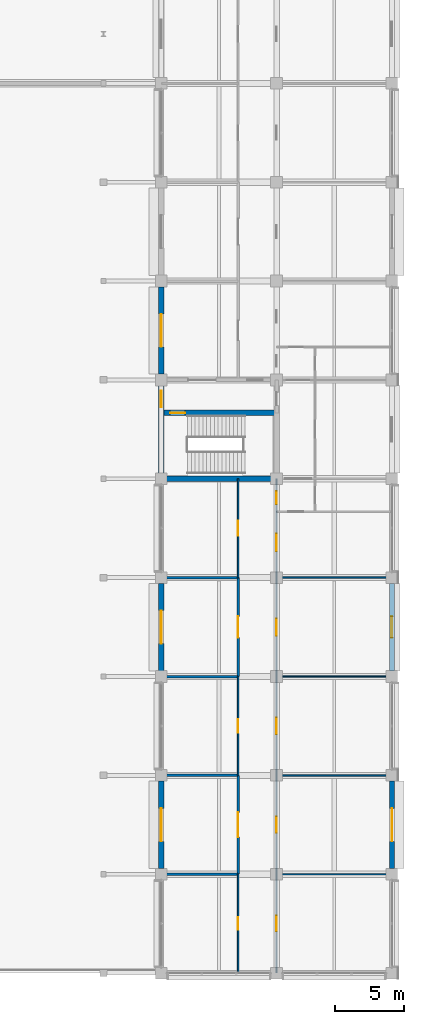
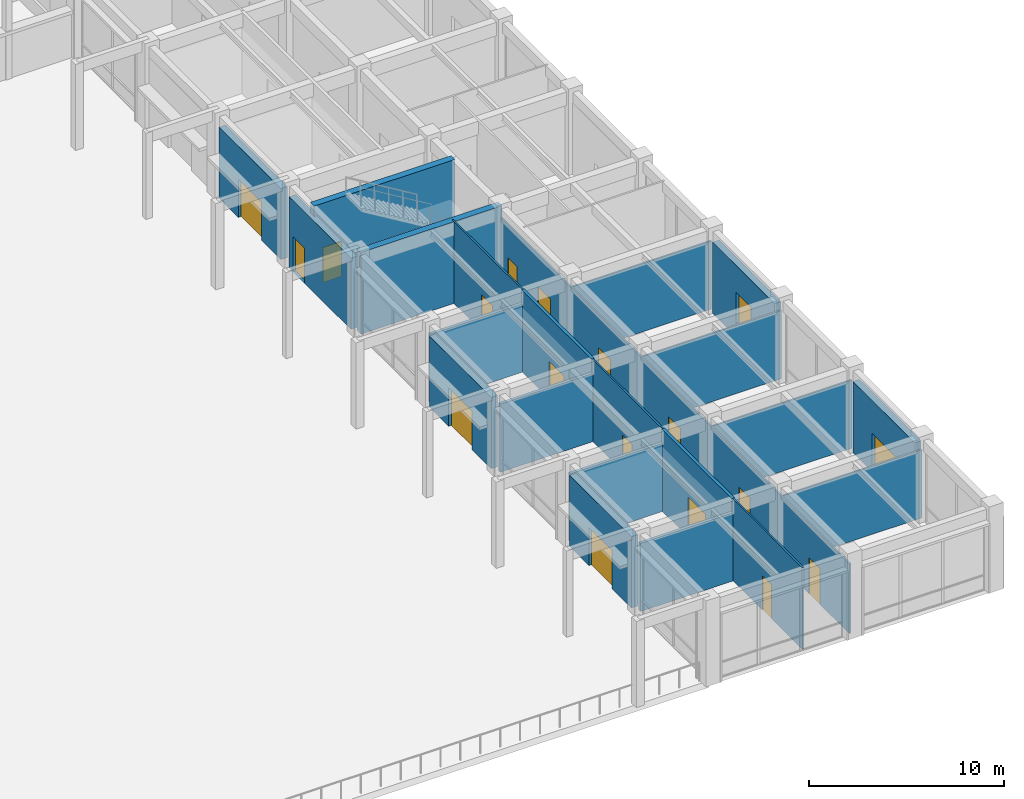
# One storey, part 54 of 73: 22 walls, 17 doors, 1 window, 18 openings.
"""IFC4 building model written with IfcOpenShell, lengths in metres."""

from ifc_helpers import new_model, si_unit, direction, frame, frame_2d, origin, place, context, subcontext, project, spatial, rectangle, extrude, material, layer, layer_set, type_object, element, fill, save


model = new_model("IFC4")

# Units and contexts
model_context = context("Model", 3, precision=1e-05, world=origin(), true_north=direction((0.0, 1.0)))
body_context = subcontext(model_context, "Body", "Model", "MODEL_VIEW")
ifc_project = project(units=[si_unit("LENGTHUNIT", "METRE"), si_unit("AREAUNIT", "SQUARE_METRE"), si_unit("VOLUMEUNIT", "CUBIC_METRE"), si_unit("PLANEANGLEUNIT", "RADIAN"), si_unit("MASSUNIT", "GRAM", prefix="KILO")], contexts=[model_context])

# Site, building, storey
site_placement = place(None, origin())
site = spatial("IfcSite", under=ifc_project, at=site_placement, CompositionType="ELEMENT")
building_placement = place(site_placement, origin())
building = spatial("IfcBuilding", under=site, at=building_placement, Name="Chengyuan Square Courthouse", CompositionType="ELEMENT")
storey_placement = place(building_placement, origin())
storey = spatial("IfcBuildingStorey", under=building, at=storey_placement, Name="L01", CompositionType="ELEMENT", Elevation=0.0)

# Wall, opening, door
ifc_material_1 = material(Name="Concrete C40", Category="concrete")
ifc_layer_1 = layer(ifc_material_1, 0.3798828125)
ifc_layer_set_1 = layer_set([ifc_layer_1], Name="Concrete C40")
wall_type_1 = type_object("IfcWallType", Name="WL-EW1", PredefinedType="STANDARD", material=ifc_layer_set_1)
wall_1_placement = place(storey_placement, frame((151.199951171875, 7.6201171875, 0.0), z_axis=(0.0, 0.0, 1.0), x_axis=(0.0, 1.0, 0.0)))
wall_1 = element("IfcWall", 1, at=wall_1_placement, inside=storey, type_object=wall_type_1, Name="Exterior Wall WL-L01-E190", PredefinedType="STANDARD", context=body_context, shape_type="SweptSolid", body=[
    extrude(rectangle(XDim=6.35986328125, YDim=0.3798828125, at=frame_2d((3.179931640625, 0.0))), origin(), (0.0, 0.0, 1.0), 4.469970703125),
])
opening_1_placement = place(wall_1_placement, frame((1.97998046875, 0.0, 0.0)))
opening_1 = element("IfcOpeningElement", 2, at=opening_1_placement, cuts=wall_1, Name="Opening E-05", PredefinedType="OPENING", context=body_context, shape_type="SweptSolid", body=[
    extrude(rectangle(XDim=2.39990234375, YDim=2.39990234375, at=frame_2d((1.199951171875, 1.199951171875))), frame((0.0, 0.201904296875, 0.0), z_axis=(0.0, -1.0, 0.0), x_axis=(1.0, 0.0, 0.0)), (0.0, 0.0, 1.0), 0.40380859375),
])
ifc_material_2 = material(Name="Glazed Bronze Civic Entrance Door")
door_type_1 = type_object("IfcDoorType", Name="DT-01", OperationType="DOUBLE_DOOR_SINGLE_SWING", PredefinedType="DOOR", material=ifc_material_2)
door_1_placement = place(opening_1_placement, origin())
door_1 = element("IfcDoor", 3, at=door_1_placement, inside=storey, type_object=door_type_1, Name="Main Pedestrian Entrance Exit Door E-05", OperationType="DOUBLE_DOOR_SINGLE_SWING", OverallHeight=2.39990234375, OverallWidth=2.39990234375, PredefinedType="DOOR", context=body_context, shape_type="SweptSolid", body=[
    extrude(rectangle(XDim=2.39990234375, YDim=2.39990234375, at=frame_2d((1.199951171875, 1.199951171875))), frame((0.0, 0.02490234375, 0.0), z_axis=(0.0, -1.0, 0.0), x_axis=(1.0, 0.0, 0.0)), (0.0, 0.0, 1.0), 0.050048828125),
])
fill(opening_1, door_1)

wall_2_placement = place(storey_placement, frame((151.199951171875, 22.02001953125, 0.0), z_axis=(0.0, 0.0, 1.0), x_axis=(0.0, 1.0, 0.0)))
wall_2 = element("IfcWall", 4, at=wall_2_placement, inside=storey, type_object=wall_type_1, Name="Exterior Wall WL-L01-E191", PredefinedType="STANDARD", context=body_context, shape_type="SweptSolid", body=[
    extrude(rectangle(XDim=6.35986328125, YDim=0.3798828125, at=frame_2d((3.179931640625, 0.0))), origin(), (0.0, 0.0, 1.0), 4.469970703125),
])
opening_2_placement = place(wall_2_placement, frame((1.97998046875, 0.0, 0.0)))
opening_2 = element("IfcOpeningElement", 5, at=opening_2_placement, cuts=wall_2, Name="Opening E-06", PredefinedType="OPENING", context=body_context, shape_type="SweptSolid", body=[
    extrude(rectangle(XDim=2.39990234375, YDim=2.39990234375, at=frame_2d((1.199951171875, 1.199951171875))), frame((0.0, 0.201904296875, 0.0), z_axis=(0.0, -1.0, 0.0), x_axis=(1.0, 0.0, 0.0)), (0.0, 0.0, 1.0), 0.40380859375),
])
door_2_placement = place(opening_2_placement, origin())
door_2 = element("IfcDoor", 6, at=door_2_placement, inside=storey, type_object=door_type_1, Name="Main Pedestrian Entrance Exit Door E-06", OperationType="DOUBLE_DOOR_SINGLE_SWING", OverallHeight=2.39990234375, OverallWidth=2.39990234375, PredefinedType="DOOR", context=body_context, shape_type="SweptSolid", body=[
    extrude(rectangle(XDim=2.39990234375, YDim=2.39990234375, at=frame_2d((1.199951171875, 1.199951171875))), frame((0.0, 0.02490234375, 0.0), z_axis=(0.0, -1.0, 0.0), x_axis=(1.0, 0.0, 0.0)), (0.0, 0.0, 1.0), 0.050048828125),
])
fill(opening_2, door_2)

wall_3_placement = place(storey_placement, frame((151.199951171875, 36.419921875, 0.0), z_axis=(0.0, 0.0, 1.0), x_axis=(0.0, 1.0, 0.0)))
wall_3 = element("IfcWall", 7, at=wall_3_placement, inside=storey, type_object=wall_type_1, Name="Exterior Wall WL-L01-E192", PredefinedType="STANDARD", context=body_context, shape_type="SweptSolid", body=[
    extrude(rectangle(XDim=6.360107421875, YDim=0.3798828125, at=frame_2d((3.18017578125, 0.0))), origin(), (0.0, 0.0, 1.0), 4.469970703125),
])
opening_3_placement = place(wall_3_placement, frame((4.780029296875, 0.0, 0.0)))
opening_3 = element("IfcOpeningElement", 8, at=opening_3_placement, cuts=wall_3, Name="Opening E-22", PredefinedType="OPENING", context=body_context, shape_type="SweptSolid", body=[
    extrude(rectangle(XDim=1.199951171875, YDim=2.199951171875, at=frame_2d((0.60009765625, 1.10009765625))), frame((0.0, 0.201904296875, 0.0), z_axis=(0.0, -1.0, 0.0), x_axis=(1.0, 0.0, 0.0)), (0.0, 0.0, 1.0), 0.40380859375),
])
ifc_material_3 = material(Name="Steel Q235B Fire Exit Door", Category="steel")
door_type_2 = type_object("IfcDoorType", Name="DT-03", OperationType="NOTDEFINED", PredefinedType="DOOR", material=ifc_material_3)
door_3_placement = place(opening_3_placement, origin())
door_3 = element("IfcDoor", 9, at=door_3_placement, inside=storey, type_object=door_type_2, Name="Protected Stair Exit Discharge Door E-22", OperationType="SINGLE_SWING_RIGHT", OverallHeight=2.199951171875, OverallWidth=1.199951171875, PredefinedType="DOOR", context=body_context, shape_type="SweptSolid", body=[
    extrude(rectangle(XDim=1.199951171875, YDim=2.199951171875, at=frame_2d((0.60009765625, 1.10009765625))), frame((0.0, 0.02490234375, 0.0), z_axis=(0.0, -1.0, 0.0), x_axis=(1.0, 0.0, 0.0)), (0.0, 0.0, 1.0), 0.050048828125),
])
fill(opening_3, door_3)

wall_4_placement = place(storey_placement, frame((151.199951171875, 43.6201171875, 0.0), z_axis=(0.0, 0.0, 1.0), x_axis=(0.0, 1.0, 0.0)))
wall_4 = element("IfcWall", 10, at=wall_4_placement, inside=storey, type_object=wall_type_1, Name="Exterior Wall WL-L01-E193", PredefinedType="STANDARD", context=body_context, shape_type="SweptSolid", body=[
    extrude(rectangle(XDim=6.35986328125, YDim=0.3798828125, at=frame_2d((3.179931640625, 0.0))), origin(), (0.0, 0.0, 1.0), 4.469970703125),
])
opening_4_placement = place(wall_4_placement, frame((1.97998046875, 0.0, 0.0)))
opening_4 = element("IfcOpeningElement", 11, at=opening_4_placement, cuts=wall_4, Name="Opening E-07", PredefinedType="OPENING", context=body_context, shape_type="SweptSolid", body=[
    extrude(rectangle(XDim=2.39990234375, YDim=2.39990234375, at=frame_2d((1.199951171875, 1.199951171875))), frame((0.0, 0.201904296875, 0.0), z_axis=(0.0, -1.0, 0.0), x_axis=(1.0, 0.0, 0.0)), (0.0, 0.0, 1.0), 0.40380859375),
])
door_4_placement = place(opening_4_placement, origin())
door_4 = element("IfcDoor", 12, at=door_4_placement, inside=storey, type_object=door_type_1, Name="Main Pedestrian Entrance Exit Door E-07", OperationType="DOUBLE_DOOR_SINGLE_SWING", OverallHeight=2.39990234375, OverallWidth=2.39990234375, PredefinedType="DOOR", context=body_context, shape_type="SweptSolid", body=[
    extrude(rectangle(XDim=2.39990234375, YDim=2.39990234375, at=frame_2d((1.199951171875, 1.199951171875))), frame((0.0, 0.02490234375, 0.0), z_axis=(0.0, -1.0, 0.0), x_axis=(1.0, 0.0, 0.0)), (0.0, 0.0, 1.0), 0.050048828125),
])
fill(opening_4, door_4)

wall_5_placement = place(storey_placement, frame((168.0, 7.6201171875, 0.0), z_axis=(0.0, 0.0, 1.0), x_axis=(0.0, 1.0, 0.0)))
wall_5 = element("IfcWall", 13, at=wall_5_placement, inside=storey, type_object=wall_type_1, Name="Exterior Wall WL-L01-E196", PredefinedType="STANDARD", context=body_context, shape_type="SweptSolid", body=[
    extrude(rectangle(XDim=6.35986328125, YDim=0.3798828125, at=frame_2d((3.179931640625, 0.0))), origin(), (0.0, 0.0, 1.0), 4.469970703125),
])
opening_5_placement = place(wall_5_placement, frame((1.97998046875, 0.0, 0.0)))
opening_5 = element("IfcOpeningElement", 14, at=opening_5_placement, cuts=wall_5, Name="Opening E-19", PredefinedType="OPENING", context=body_context, shape_type="SweptSolid", body=[
    extrude(rectangle(XDim=2.39990234375, YDim=2.39990234375, at=frame_2d((1.199951171875, 1.199951171875))), frame((0.0, 0.201904296875, 0.0), z_axis=(0.0, -1.0, 0.0), x_axis=(1.0, 0.0, 0.0)), (0.0, 0.0, 1.0), 0.40380859375),
])
door_5_placement = place(opening_5_placement, frame((2.39990234375, 0.0, 0.0), z_axis=(0.0, 0.0, 1.0), x_axis=(-1.0, 0.0, 0.0)))
door_5 = element("IfcDoor", 15, at=door_5_placement, inside=storey, type_object=door_type_1, Name="Main Pedestrian Entrance Exit Door E-19", OperationType="DOUBLE_DOOR_SINGLE_SWING", OverallHeight=2.39990234375, OverallWidth=2.39990234375, PredefinedType="DOOR", context=body_context, shape_type="SweptSolid", body=[
    extrude(rectangle(XDim=2.39990234375, YDim=2.39990234375, at=frame_2d((1.199951171875, 1.199951171875))), frame((0.0, 0.02490234375, 0.0), z_axis=(0.0, -1.0, 0.0), x_axis=(1.0, 0.0, 0.0)), (0.0, 0.0, 1.0), 0.050048828125),
])
fill(opening_5, door_5)

# Wall, opening, window
wall_6_placement = place(storey_placement, frame((168.0, 22.02001953125, 0.0), z_axis=(0.0, 0.0, 1.0), x_axis=(0.0, 1.0, 0.0)))
wall_6 = element("IfcWall", 16, at=wall_6_placement, inside=storey, type_object=wall_type_1, Name="Exterior Wall WL-L01-E197", PredefinedType="STANDARD", context=body_context, shape_type="SweptSolid", body=[
    extrude(rectangle(XDim=6.35986328125, YDim=0.3798828125, at=frame_2d((3.179931640625, 0.0))), origin(), (0.0, 0.0, 1.0), 4.469970703125),
])
opening_6_placement = place(wall_6_placement, frame((2.405029296875, 0.0, 0.85009765625)))
opening_6 = element("IfcOpeningElement", 17, at=opening_6_placement, cuts=wall_6, Name="Opening WN-012", PredefinedType="OPENING", context=body_context, shape_type="SweptSolid", body=[
    extrude(rectangle(XDim=1.550048828125, YDim=1.919921875, at=frame_2d((0.77490234375, 0.9599609375))), frame((0.0, 0.201904296875, 0.0), z_axis=(0.0, -1.0, 0.0), x_axis=(1.0, 0.0, 0.0)), (0.0, 0.0, 1.0), 0.40380859375),
])
ifc_material_4 = material(Name="Thermally Broken Aluminium Triple Low-E Window", Category="aluminium")
window_type = type_object("IfcWindowType", Name="WT-29", PartitioningType="SINGLE_PANEL", PredefinedType="WINDOW", material=ifc_material_4)
window_placement = place(opening_6_placement, origin())
window = element("IfcWindow", 18, at=window_placement, inside=storey, type_object=window_type, Name="Facade Window WN-012", OverallHeight=1.919921875, OverallWidth=1.550048828125, PartitioningType="SINGLE_PANEL", PredefinedType="WINDOW", context=body_context, shape_type="SweptSolid", body=[
    extrude(rectangle(XDim=1.550048828125, YDim=1.919921875, at=frame_2d((0.77490234375, 0.9599609375))), frame((0.0, 0.030029296875, 0.0), z_axis=(0.0, -1.0, 0.0), x_axis=(1.0, 0.0, 0.0)), (0.0, 0.0, 1.0), 0.06005859375),
])
fill(opening_6, window)

# Walls
ifc_material_5 = material(Name="Double-Stud Acoustic Gypsum Courtroom Partition")
ifc_layer_2 = layer(ifc_material_5, 0.179931640625)
ifc_layer_set_2 = layer_set([ifc_layer_2], Name="Double-Stud Acoustic Gypsum Courtroom Partition")
wall_type_2 = type_object("IfcWallType", Name="WL-PT1", PredefinedType="STANDARD", material=ifc_layer_set_2)
for number, where, z_axis, x_axis, name in (
    (19, (151.239990234375, 7.199951171875, 0.0), (0.0, 0.0, 1.0), (1.0, 0.0, 0.0), "Interior Wall WL-L01-I624"),
    (20, (151.239990234375, 14.39990234375, 0.0), (0.0, 0.0, 1.0), (1.0, 0.0, 0.0), "Interior Wall WL-L01-I628"),
    (21, (151.239990234375, 21.60009765625, 0.0), (0.0, 0.0, 1.0), (1.0, 0.0, 0.0), "Interior Wall WL-L01-I632"),
    (22, (151.239990234375, 28.800048828125, 0.0), (0.0, 0.0, 1.0), (1.0, 0.0, 0.0), "Interior Wall WL-L01-I636"),
):
    element("IfcWall", number, at=place(storey_placement, frame(where, z_axis=z_axis, x_axis=x_axis)), inside=storey, type_object=wall_type_2, Name=name, PredefinedType="STANDARD", context=body_context, shape_type="SweptSolid", body=[
        extrude(rectangle(XDim=5.56005859375, YDim=0.179931640625, at=frame_2d((2.780029296875, 0.0))), origin(), (0.0, 0.0, 1.0), 4.27001953125),
    ])

# Wall, opening, door
wall_7_placement = place(storey_placement, frame((156.800048828125, 7.199951171875, 0.0), z_axis=(0.0, 0.0, 1.0), x_axis=(0.0, 1.0, 0.0)))
wall_7 = element("IfcWall", 23, at=wall_7_placement, inside=storey, type_object=wall_type_2, Name="Interior Wall WL-L01-I994", PredefinedType="STANDARD", context=body_context, shape_type="SweptSolid", body=[
    extrude(rectangle(XDim=7.199951171875, YDim=0.179931640625, at=frame_2d((3.60009765625, 0.0))), origin(), (0.0, 0.0, 1.0), 5.1201171875),
])
opening_7_placement = place(wall_7_placement, frame((2.699951171875, 0.0, 0.0)))
opening_7 = element("IfcOpeningElement", 24, at=opening_7_placement, cuts=wall_7, Name="Opening DR-971", PredefinedType="OPENING", context=body_context, shape_type="SweptSolid", body=[
    extrude(rectangle(XDim=1.800048828125, YDim=2.5, at=frame_2d((0.89990234375, 1.25))), frame((0.0, 0.10205078125, 0.0), z_axis=(0.0, -1.0, 0.0), x_axis=(1.0, 0.0, 0.0)), (0.0, 0.0, 1.0), 0.203857421875),
])
ifc_material_6 = material(Name="Acoustic Larch Veneer Double Door")
door_type_3 = type_object("IfcDoorType", Name="DT-21", OperationType="DOUBLE_DOOR_SINGLE_SWING", PredefinedType="DOOR", material=ifc_material_6)
door_6_placement = place(opening_7_placement, frame((1.800048828125, 0.0, 0.0), z_axis=(0.0, 0.0, 1.0), x_axis=(-1.0, 0.0, 0.0)))
door_6 = element("IfcDoor", 25, at=door_6_placement, inside=storey, type_object=door_type_3, Name="Interior Door DR-971", OperationType="DOUBLE_DOOR_SINGLE_SWING", OverallHeight=2.5, OverallWidth=1.800048828125, PredefinedType="DOOR", context=body_context, shape_type="SweptSolid", body=[
    extrude(rectangle(XDim=1.800048828125, YDim=2.5, at=frame_2d((0.89990234375, 1.25))), frame((0.0, 0.02490234375, 0.0), z_axis=(0.0, -1.0, 0.0), x_axis=(1.0, 0.0, 0.0)), (0.0, 0.0, 1.0), 0.050048828125),
])
fill(opening_7, door_6)

wall_8_placement = place(storey_placement, frame((156.800048828125, 21.60009765625, 0.0), z_axis=(0.0, 0.0, 1.0), x_axis=(0.0, 1.0, 0.0)))
wall_8 = element("IfcWall", 26, at=wall_8_placement, inside=storey, type_object=wall_type_2, Name="Interior Wall WL-L01-I996", PredefinedType="STANDARD", context=body_context, shape_type="SweptSolid", body=[
    extrude(rectangle(XDim=7.199951171875, YDim=0.179931640625, at=frame_2d((3.60009765625, 0.0))), origin(), (0.0, 0.0, 1.0), 5.1201171875),
])
opening_8_placement = place(wall_8_placement, frame((2.824951171875, 0.0, 0.0)))
opening_8 = element("IfcOpeningElement", 27, at=opening_8_placement, cuts=wall_8, Name="Opening DR-973", PredefinedType="OPENING", context=body_context, shape_type="SweptSolid", body=[
    extrude(rectangle(XDim=1.550048828125, YDim=2.35009765625, at=frame_2d((0.77490234375, 1.175048828125))), frame((0.0, 0.10205078125, 0.0), z_axis=(0.0, -1.0, 0.0), x_axis=(1.0, 0.0, 0.0)), (0.0, 0.0, 1.0), 0.203857421875),
])
door_type_4 = type_object("IfcDoorType", Name="DT-23", OperationType="DOUBLE_DOOR_SINGLE_SWING", PredefinedType="DOOR", material=ifc_material_6)
door_7_placement = place(opening_8_placement, frame((1.550048828125, 0.0, 0.0), z_axis=(0.0, 0.0, 1.0), x_axis=(-1.0, 0.0, 0.0)))
door_7 = element("IfcDoor", 28, at=door_7_placement, inside=storey, type_object=door_type_4, Name="Interior Door DR-973", OperationType="DOUBLE_DOOR_SINGLE_SWING", OverallHeight=2.35009765625, OverallWidth=1.550048828125, PredefinedType="DOOR", context=body_context, shape_type="SweptSolid", body=[
    extrude(rectangle(XDim=1.550048828125, YDim=2.35009765625, at=frame_2d((0.77490234375, 1.175048828125))), frame((0.0, 0.02490234375, 0.0), z_axis=(0.0, -1.0, 0.0), x_axis=(1.0, 0.0, 0.0)), (0.0, 0.0, 1.0), 0.050048828125),
])
fill(opening_8, door_7)

# Walls
ifc_material_7 = material(Name="Gypsum Plasterboard Acoustic Stud Partition")
ifc_layer_3 = layer(ifc_material_7, 0.10009765625)
ifc_layer_set_3 = layer_set([ifc_layer_3], Name="Gypsum Plasterboard Acoustic Stud Partition")
wall_type_3 = type_object("IfcWallType", Name="WL-PT6", PredefinedType="STANDARD", material=ifc_layer_set_3)
for number, where, z_axis, x_axis, name in (
    (29, (159.60009765625, 7.199951171875, 0.0), (0.0, 0.0, 1.0), (1.0, 0.0, 0.0), "Interior Wall WL-L01-I625"),
    (30, (159.60009765625, 14.39990234375, 0.0), (0.0, 0.0, 1.0), (1.0, 0.0, 0.0), "Interior Wall WL-L01-I629"),
    (31, (159.60009765625, 21.60009765625, 0.0), (0.0, 0.0, 1.0), (1.0, 0.0, 0.0), "Interior Wall WL-L01-I633"),
    (32, (159.60009765625, 28.800048828125, 0.0), (0.0, 0.0, 1.0), (1.0, 0.0, 0.0), "Interior Wall WL-L01-I637"),
):
    element("IfcWall", number, at=place(storey_placement, frame(where, z_axis=z_axis, x_axis=x_axis)), inside=storey, type_object=wall_type_3, Name=name, PredefinedType="STANDARD", context=body_context, shape_type="SweptSolid", body=[
        extrude(rectangle(XDim=8.35986328125, YDim=0.10009765625, at=frame_2d((4.179931640625, 0.0))), origin(), (0.0, 0.0, 1.0), 4.27001953125),
    ])

# Wall, opening, door
wall_9_placement = place(storey_placement, frame((156.800048828125, 0.0400390625, 0.0), z_axis=(0.0, 0.0, 1.0), x_axis=(0.0, 1.0, 0.0)))
wall_9 = element("IfcWall", 33, at=wall_9_placement, inside=storey, type_object=wall_type_3, Name="Interior Wall WL-L01-I993", PredefinedType="STANDARD", context=body_context, shape_type="SweptSolid", body=[
    extrude(rectangle(XDim=7.159912109375, YDim=0.10009765625, at=frame_2d((3.580078125, 0.0))), origin(), (0.0, 0.0, 1.0), 5.1201171875),
])
opening_9_placement = place(wall_9_placement, frame((3.1201171875, 0.0, 0.0)))
opening_9 = element("IfcOpeningElement", 34, at=opening_9_placement, cuts=wall_9, Name="Opening DR-970", PredefinedType="OPENING", context=body_context, shape_type="SweptSolid", body=[
    extrude(rectangle(XDim=0.919921875, YDim=2.14990234375, at=frame_2d((0.4599609375, 1.074951171875))), frame((0.0, 0.06201171875, 0.0), z_axis=(0.0, -1.0, 0.0), x_axis=(1.0, 0.0, 0.0)), (0.0, 0.0, 1.0), 0.1240234375),
])
ifc_material_8 = material(Name="Acoustic Solid-Core Timber Door", Category="wood")
door_type_5 = type_object("IfcDoorType", Name="DT-29", OperationType="NOTDEFINED", PredefinedType="DOOR", material=ifc_material_8)
door_8_placement = place(opening_9_placement, origin())
door_8 = element("IfcDoor", 35, at=door_8_placement, inside=storey, type_object=door_type_5, Name="Interior Door DR-970", OperationType="SINGLE_SWING_RIGHT", OverallHeight=2.14990234375, OverallWidth=0.919921875, PredefinedType="DOOR", context=body_context, shape_type="SweptSolid", body=[
    extrude(rectangle(XDim=0.919921875, YDim=2.14990234375, at=frame_2d((0.4599609375, 1.074951171875))), frame((0.0, 0.02490234375, 0.0), z_axis=(0.0, -1.0, 0.0), x_axis=(1.0, 0.0, 0.0)), (0.0, 0.0, 1.0), 0.050048828125),
])
fill(opening_9, door_8)

wall_10_placement = place(storey_placement, frame((156.800048828125, 14.39990234375, 0.0), z_axis=(0.0, 0.0, 1.0), x_axis=(0.0, 1.0, 0.0)))
wall_10 = element("IfcWall", 36, at=wall_10_placement, inside=storey, type_object=wall_type_3, Name="Interior Wall WL-L01-I995", PredefinedType="STANDARD", context=body_context, shape_type="SweptSolid", body=[
    extrude(rectangle(XDim=7.2001953125, YDim=0.10009765625, at=frame_2d((3.60009765625, 0.0))), origin(), (0.0, 0.0, 1.0), 5.1201171875),
])
opening_10_placement = place(wall_10_placement, frame((3.10009765625, 0.0, 0.0)))
opening_10 = element("IfcOpeningElement", 37, at=opening_10_placement, cuts=wall_10, Name="Opening DR-972", PredefinedType="OPENING", context=body_context, shape_type="SweptSolid", body=[
    extrude(rectangle(XDim=1.0, YDim=2.25, at=frame_2d((0.5, 1.125))), frame((0.0, 0.06201171875, 0.0), z_axis=(0.0, -1.0, 0.0), x_axis=(1.0, 0.0, 0.0)), (0.0, 0.0, 1.0), 0.1240234375),
])
door_type_6 = type_object("IfcDoorType", Name="DT-31", OperationType="NOTDEFINED", PredefinedType="DOOR", material=ifc_material_8)
door_9_placement = place(opening_10_placement, origin())
door_9 = element("IfcDoor", 38, at=door_9_placement, inside=storey, type_object=door_type_6, Name="Interior Door DR-972", OperationType="SINGLE_SWING_LEFT", OverallHeight=2.25, OverallWidth=1.0, PredefinedType="DOOR", context=body_context, shape_type="SweptSolid", body=[
    extrude(rectangle(XDim=1.0, YDim=2.25, at=frame_2d((0.5, 1.125))), frame((0.0, 0.02490234375, 0.0), z_axis=(0.0, -1.0, 0.0), x_axis=(1.0, 0.0, 0.0)), (0.0, 0.0, 1.0), 0.050048828125),
])
fill(opening_10, door_9)

wall_11_placement = place(storey_placement, frame((156.800048828125, 28.800048828125, 0.0), z_axis=(0.0, 0.0, 1.0), x_axis=(0.0, 1.0, 0.0)))
wall_11 = element("IfcWall", 39, at=wall_11_placement, inside=storey, type_object=wall_type_3, Name="Interior Wall WL-L01-I997", PredefinedType="STANDARD", context=body_context, shape_type="SweptSolid", body=[
    extrude(rectangle(XDim=7.199951171875, YDim=0.10009765625, at=frame_2d((3.60009765625, 0.0))), origin(), (0.0, 0.0, 1.0), 5.1201171875),
])
opening_11_placement = place(wall_11_placement, frame((3.06005859375, 0.0, 0.0)))
opening_11 = element("IfcOpeningElement", 40, at=opening_11_placement, cuts=wall_11, Name="Opening DR-974", PredefinedType="OPENING", context=body_context, shape_type="SweptSolid", body=[
    extrude(rectangle(XDim=1.080078125, YDim=2.25, at=frame_2d((0.5400390625, 1.125))), frame((0.0, 0.06201171875, 0.0), z_axis=(0.0, -1.0, 0.0), x_axis=(1.0, 0.0, 0.0)), (0.0, 0.0, 1.0), 0.1240234375),
])
door_type_7 = type_object("IfcDoorType", Name="DT-33", OperationType="NOTDEFINED", PredefinedType="DOOR", material=ifc_material_8)
door_10_placement = place(opening_11_placement, origin())
door_10 = element("IfcDoor", 41, at=door_10_placement, inside=storey, type_object=door_type_7, Name="Interior Door DR-974", OperationType="SINGLE_SWING_RIGHT", OverallHeight=2.25, OverallWidth=1.080078125, PredefinedType="DOOR", context=body_context, shape_type="SweptSolid", body=[
    extrude(rectangle(XDim=1.080078125, YDim=2.25, at=frame_2d((0.5400390625, 1.125))), frame((0.0, 0.02490234375, 0.0), z_axis=(0.0, -1.0, 0.0), x_axis=(1.0, 0.0, 0.0)), (0.0, 0.0, 1.0), 0.050048828125),
])
fill(opening_11, door_10)

# Wall, openings, doors
wall_12_placement = place(storey_placement, frame((159.60009765625, 0.0400390625, 0.0), z_axis=(0.0, 0.0, 1.0), x_axis=(0.0, 1.0, 0.0)))
wall_12 = element("IfcWall", 42, at=wall_12_placement, inside=storey, type_object=wall_type_3, Name="Interior Wall WL-L01-I1000", PredefinedType="STANDARD", context=body_context, shape_type="SweptSolid", body=[
    extrude(rectangle(XDim=35.9599609375, YDim=0.10009765625, at=frame_2d((17.97998046875, 0.0))), origin(), (0.0, 0.0, 1.0), 4.3701171875),
])
opening_12_placement = place(wall_12_placement, frame((3.0, 0.0, 0.0)))
opening_12 = element("IfcOpeningElement", 43, at=opening_12_placement, cuts=wall_12, Name="Opening DR-975", PredefinedType="OPENING", context=body_context, shape_type="SweptSolid", body=[
    extrude(rectangle(XDim=1.1201171875, YDim=2.25, at=frame_2d((0.56005859375, 1.125))), frame((0.0, 0.06201171875, 0.0), z_axis=(0.0, -1.0, 0.0), x_axis=(1.0, 0.0, 0.0)), (0.0, 0.0, 1.0), 0.1240234375),
])
opening_13_placement = place(wall_12_placement, frame((10.179931640625, 0.0, 0.0)))
opening_13 = element("IfcOpeningElement", 44, at=opening_13_placement, cuts=wall_12, Name="Opening DR-976", PredefinedType="OPENING", context=body_context, shape_type="SweptSolid", body=[
    extrude(rectangle(XDim=1.159912109375, YDim=2.300048828125, at=frame_2d((0.580078125, 1.14990234375))), frame((0.0, 0.06201171875, 0.0), z_axis=(0.0, -1.0, 0.0), x_axis=(1.0, 0.0, 0.0)), (0.0, 0.0, 1.0), 0.1240234375),
])
opening_14_placement = place(wall_12_placement, frame((17.360107421875, 0.0, 0.0)))
opening_14 = element("IfcOpeningElement", 45, at=opening_14_placement, cuts=wall_12, Name="Opening DR-977", PredefinedType="OPENING", context=body_context, shape_type="SweptSolid", body=[
    extrude(rectangle(XDim=1.199951171875, YDim=2.35009765625, at=frame_2d((0.60009765625, 1.175048828125))), frame((0.0, 0.06201171875, 0.0), z_axis=(0.0, -1.0, 0.0), x_axis=(1.0, 0.0, 0.0)), (0.0, 0.0, 1.0), 0.1240234375),
])
opening_15_placement = place(wall_12_placement, frame((24.5400390625, 0.0, 0.0)))
opening_15 = element("IfcOpeningElement", 46, at=opening_15_placement, cuts=wall_12, Name="Opening DR-978", PredefinedType="OPENING", context=body_context, shape_type="SweptSolid", body=[
    extrude(rectangle(XDim=1.239990234375, YDim=2.300048828125, at=frame_2d((0.6201171875, 1.14990234375))), frame((0.0, 0.06201171875, 0.0), z_axis=(0.0, -1.0, 0.0), x_axis=(1.0, 0.0, 0.0)), (0.0, 0.0, 1.0), 0.1240234375),
])
opening_16_placement = place(wall_12_placement, frame((30.6923828125, 0.0, 0.0)))
opening_16 = element("IfcOpeningElement", 47, at=opening_16_placement, cuts=wall_12, Name="Opening DR-979", PredefinedType="OPENING", context=body_context, shape_type="SweptSolid", body=[
    extrude(rectangle(XDim=1.280029296875, YDim=2.35009765625, at=frame_2d((0.64013671875, 1.175048828125))), frame((0.0, 0.06201171875, 0.0), z_axis=(0.0, -1.0, 0.0), x_axis=(1.0, 0.0, 0.0)), (0.0, 0.0, 1.0), 0.1240234375),
])
opening_17_placement = place(wall_12_placement, frame((34.117431640625, 0.0, 0.0)))
opening_17 = element("IfcOpeningElement", 48, at=opening_17_placement, cuts=wall_12, Name="Opening DR-980", PredefinedType="OPENING", context=body_context, shape_type="SweptSolid", body=[
    extrude(rectangle(XDim=0.93994140625, YDim=2.300048828125, at=frame_2d((0.469970703125, 1.14990234375))), frame((0.0, 0.06201171875, 0.0), z_axis=(0.0, -1.0, 0.0), x_axis=(1.0, 0.0, 0.0)), (0.0, 0.0, 1.0), 0.1240234375),
])
door_type_8 = type_object("IfcDoorType", Name="DT-34", OperationType="NOTDEFINED", PredefinedType="DOOR", material=ifc_material_8)
door_11_placement = place(opening_12_placement, origin())
door_11 = element("IfcDoor", 49, at=door_11_placement, inside=storey, type_object=door_type_8, Name="Interior Door DR-975", OperationType="SINGLE_SWING_LEFT", OverallHeight=2.25, OverallWidth=1.1201171875, PredefinedType="DOOR", context=body_context, shape_type="SweptSolid", body=[
    extrude(rectangle(XDim=1.1201171875, YDim=2.25, at=frame_2d((0.56005859375, 1.125))), frame((0.0, 0.02490234375, 0.0), z_axis=(0.0, -1.0, 0.0), x_axis=(1.0, 0.0, 0.0)), (0.0, 0.0, 1.0), 0.050048828125),
])
fill(opening_12, door_11)
door_type_9 = type_object("IfcDoorType", Name="DT-35", OperationType="NOTDEFINED", PredefinedType="DOOR", material=ifc_material_8)
door_12_placement = place(opening_13_placement, origin())
door_12 = element("IfcDoor", 50, at=door_12_placement, inside=storey, type_object=door_type_9, Name="Interior Door DR-976", OperationType="SINGLE_SWING_RIGHT", OverallHeight=2.300048828125, OverallWidth=1.159912109375, PredefinedType="DOOR", context=body_context, shape_type="SweptSolid", body=[
    extrude(rectangle(XDim=1.159912109375, YDim=2.300048828125, at=frame_2d((0.580078125, 1.14990234375))), frame((0.0, 0.02490234375, 0.0), z_axis=(0.0, -1.0, 0.0), x_axis=(1.0, 0.0, 0.0)), (0.0, 0.0, 1.0), 0.050048828125),
])
fill(opening_13, door_12)
door_type_10 = type_object("IfcDoorType", Name="DT-36", OperationType="NOTDEFINED", PredefinedType="DOOR", material=ifc_material_8)
door_13_placement = place(opening_14_placement, origin())
door_13 = element("IfcDoor", 51, at=door_13_placement, inside=storey, type_object=door_type_10, Name="Interior Door DR-977", OperationType="SINGLE_SWING_LEFT", OverallHeight=2.35009765625, OverallWidth=1.199951171875, PredefinedType="DOOR", context=body_context, shape_type="SweptSolid", body=[
    extrude(rectangle(XDim=1.199951171875, YDim=2.35009765625, at=frame_2d((0.60009765625, 1.175048828125))), frame((0.0, 0.02490234375, 0.0), z_axis=(0.0, -1.0, 0.0), x_axis=(1.0, 0.0, 0.0)), (0.0, 0.0, 1.0), 0.050048828125),
])
fill(opening_14, door_13)
door_type_11 = type_object("IfcDoorType", Name="DT-37", OperationType="NOTDEFINED", PredefinedType="DOOR", material=ifc_material_8)
door_14_placement = place(opening_15_placement, origin())
door_14 = element("IfcDoor", 52, at=door_14_placement, inside=storey, type_object=door_type_11, Name="Interior Door DR-978", OperationType="SINGLE_SWING_RIGHT", OverallHeight=2.300048828125, OverallWidth=1.239990234375, PredefinedType="DOOR", context=body_context, shape_type="SweptSolid", body=[
    extrude(rectangle(XDim=1.239990234375, YDim=2.300048828125, at=frame_2d((0.6201171875, 1.14990234375))), frame((0.0, 0.02490234375, 0.0), z_axis=(0.0, -1.0, 0.0), x_axis=(1.0, 0.0, 0.0)), (0.0, 0.0, 1.0), 0.050048828125),
])
fill(opening_15, door_14)
door_type_12 = type_object("IfcDoorType", Name="DT-38", OperationType="NOTDEFINED", PredefinedType="DOOR", material=ifc_material_8)
door_15_placement = place(opening_16_placement, origin())
door_15 = element("IfcDoor", 53, at=door_15_placement, inside=storey, type_object=door_type_12, Name="Interior Door DR-979", OperationType="SINGLE_SWING_LEFT", OverallHeight=2.35009765625, OverallWidth=1.280029296875, PredefinedType="DOOR", context=body_context, shape_type="SweptSolid", body=[
    extrude(rectangle(XDim=1.280029296875, YDim=2.35009765625, at=frame_2d((0.64013671875, 1.175048828125))), frame((0.0, 0.02490234375, 0.0), z_axis=(0.0, -1.0, 0.0), x_axis=(1.0, 0.0, 0.0)), (0.0, 0.0, 1.0), 0.050048828125),
])
fill(opening_16, door_15)
door_type_13 = type_object("IfcDoorType", Name="DT-39", OperationType="NOTDEFINED", PredefinedType="DOOR", material=ifc_material_8)
door_16_placement = place(opening_17_placement, origin())
door_16 = element("IfcDoor", 54, at=door_16_placement, inside=storey, type_object=door_type_13, Name="Interior Door DR-980", OperationType="SINGLE_SWING_RIGHT", OverallHeight=2.300048828125, OverallWidth=0.93994140625, PredefinedType="DOOR", context=body_context, shape_type="SweptSolid", body=[
    extrude(rectangle(XDim=0.93994140625, YDim=2.300048828125, at=frame_2d((0.469970703125, 1.14990234375))), frame((0.0, 0.02490234375, 0.0), z_axis=(0.0, -1.0, 0.0), x_axis=(1.0, 0.0, 0.0)), (0.0, 0.0, 1.0), 0.050048828125),
])
fill(opening_17, door_16)

# Wall
ifc_material_9 = material(Name="Concrete C50", Category="concrete")
ifc_layer_4 = layer(ifc_material_9, 0.39990234375)
ifc_layer_set_4 = layer_set([ifc_layer_4], Name="Concrete C50")
wall_type_4 = type_object("IfcWallType", Name="WL-SW1", PredefinedType="SHEAR", material=ifc_layer_set_4)
wall_13_placement = place(storey_placement, frame((151.239990234375, 36.0, 0.0), z_axis=(0.0, 0.0, 1.0), x_axis=(1.0, 0.0, 0.0)))
element("IfcWall", 55, at=wall_13_placement, inside=storey, type_object=wall_type_4, Name="Interior Wall WL-L01-I642", PredefinedType="SHEAR", context=body_context, shape_type="SweptSolid", body=[
    extrude(rectangle(XDim=8.360107421875, YDim=0.39990234375, at=frame_2d((4.18017578125, 0.0))), origin(), (0.0, 0.0, 1.0), 5.1201171875),
])

# Wall, opening, door
wall_14_placement = place(storey_placement, frame((151.239990234375, 40.800048828125, 0.0), z_axis=(0.0, 0.0, 1.0), x_axis=(1.0, 0.0, 0.0)))
wall_14 = element("IfcWall", 56, at=wall_14_placement, inside=storey, type_object=wall_type_4, Name="Interior Wall WL-L01-I645", PredefinedType="SHEAR", context=body_context, shape_type="SweptSolid", body=[
    extrude(rectangle(XDim=8.360107421875, YDim=0.39990234375, at=frame_2d((4.18017578125, 0.0))), origin(), (0.0, 0.0, 1.0), 5.1201171875),
])
opening_18_placement = place(wall_14_placement, frame((0.610107421875, 0.0, 0.0)))
opening_18 = element("IfcOpeningElement", 57, at=opening_18_placement, cuts=wall_14, Name="Opening DR-665", PredefinedType="OPENING", context=body_context, shape_type="SweptSolid", body=[
    extrude(rectangle(XDim=1.10009765625, YDim=2.199951171875, at=frame_2d((0.550048828125, 1.10009765625))), frame((0.0, 0.2119140625, 0.0), z_axis=(0.0, -1.0, 0.0), x_axis=(1.0, 0.0, 0.0)), (0.0, 0.0, 1.0), 0.423828125),
])
ifc_material_10 = material(Name="Steel Q235B Fire Door", Category="steel")
door_type_14 = type_object("IfcDoorType", Name="DT-10", OperationType="NOTDEFINED", PredefinedType="DOOR", material=ifc_material_10)
door_17_placement = place(opening_18_placement, origin())
door_17 = element("IfcDoor", 58, at=door_17_placement, inside=storey, type_object=door_type_14, Name="Smoke-Proof Stairwell Fire Door ST-8 DR-665", OperationType="SINGLE_SWING_RIGHT", OverallHeight=2.199951171875, OverallWidth=1.10009765625, PredefinedType="DOOR", context=body_context, shape_type="SweptSolid", body=[
    extrude(rectangle(XDim=1.10009765625, YDim=2.199951171875, at=frame_2d((0.550048828125, 1.10009765625))), frame((0.0, 0.02490234375, 0.0), z_axis=(0.0, -1.0, 0.0), x_axis=(1.0, 0.0, 0.0)), (0.0, 0.0, 1.0), 0.050048828125),
])
fill(opening_18, door_17)

save(model, "model.ifc")
